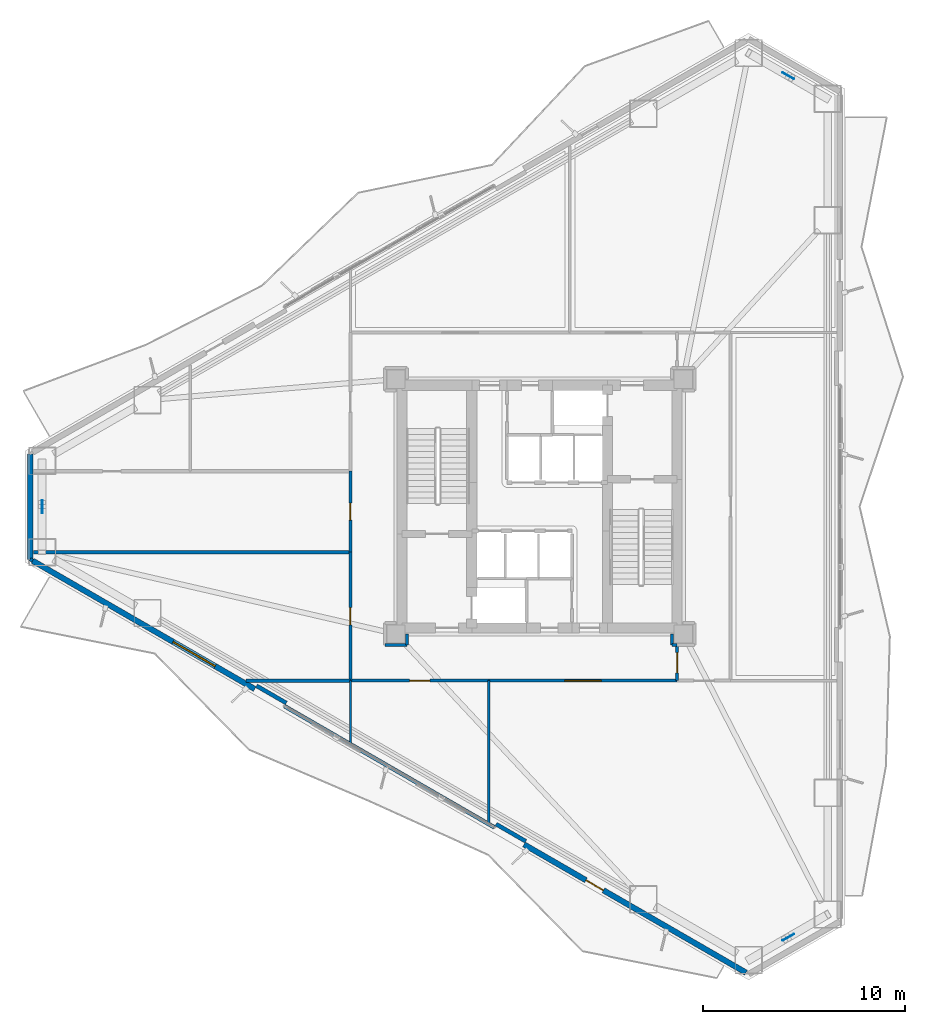
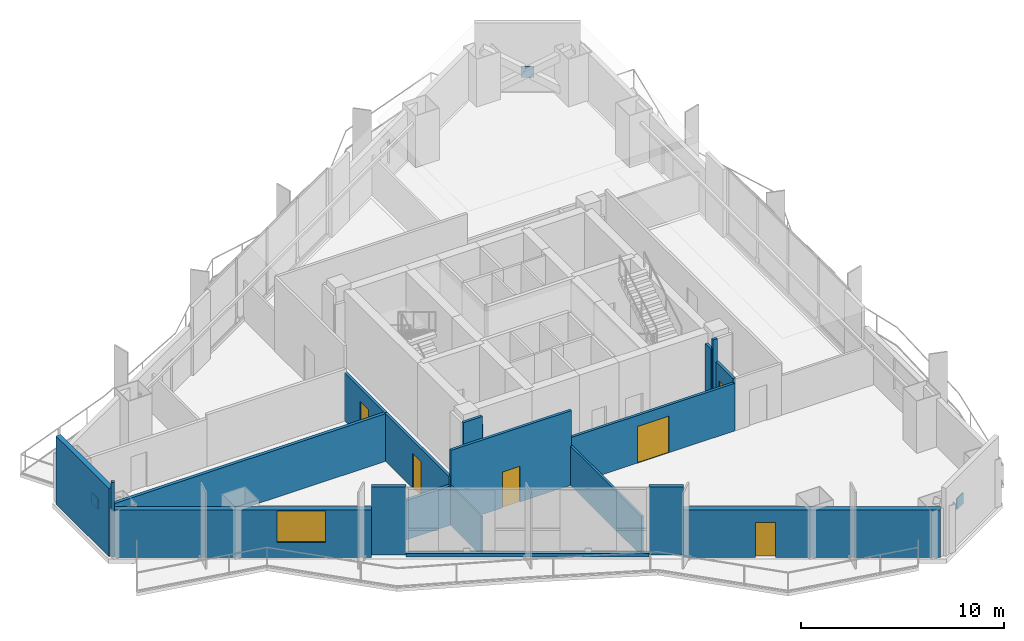
# One storey, part 11 of 16: 20 walls, 6 doors, 3 plates, 1 window, 7 openings.
"""IFC4 building model written with IfcOpenShell, lengths in metres."""

import ifcopenshell
import ifcopenshell.guid

model = None  # the IFC model being written
_history = None  # IfcOwnerHistory: only IFC2X3 demands one
_inside = {}  # id of a spatial element -> (the spatial element, [elements in it])
_under = {}  # id of a project, library or spatial element -> (it, [spatial elements below it])
_declared = {}  # id of a project -> (the project, [libraries it declares])
_typed = {}  # id of a type object -> (the type object, [elements of that type])
_made_of = {}  # id of a material, layer set ... -> (it, [elements and type objects made of it])


def new_model(schema):
    """Start an empty IFC model of exactly this schema.

    Asked for "IFC4X3", IfcOpenShell would pick the latest addendum, in which some entities
    have other attributes; the version numbers below select the first issue.
    IFC2X3 requires an IfcOwnerHistory on every rooted entity: one is made here for all.
    """
    global model, _history
    if schema == "IFC4X3":
        model = ifcopenshell.file(schema_version=(4, 3, 0, 0))
    else:
        model = ifcopenshell.file(schema=schema)
    _inside.clear()
    _under.clear()
    _declared.clear()
    _typed.clear()
    _made_of.clear()
    _history = None
    if model.schema == "IFC2X3":
        org = make("IfcOrganization", Name="unknown")
        user = make(
            "IfcPersonAndOrganization",
            ThePerson=make("IfcPerson", FamilyName="unknown"),
            TheOrganization=org,
        )
        app = make(
            "IfcApplication",
            ApplicationDeveloper=org,
            Version="unknown",
            ApplicationFullName="unknown",
            ApplicationIdentifier="unknown",
        )
        _history = make(
            "IfcOwnerHistory",
            OwningUser=user,
            OwningApplication=app,
            ChangeAction="ADDED",
            CreationDate=0,
        )
    return model


def make(cls, **values):
    """One entity of the class cls with the attributes given. An attribute that is None is left unset."""
    return model.create_entity(
        cls, **{name: value for name, value in values.items() if value is not None}
    )


def rooted(cls, **values):
    """An entity with a GlobalId (a new one), such as an element, a storey or a relation."""
    return make(cls, GlobalId=ifcopenshell.guid.new(), OwnerHistory=_history, **values)


def si_unit(unit_type, name, prefix=None):
    """IfcSIUnit, for example si_unit("LENGTHUNIT", "METRE", prefix="MILLI")."""
    return make("IfcSIUnit", UnitType=unit_type, Prefix=prefix, Name=name)


def assignment(units):
    """IfcUnitAssignment: the units of a project."""
    return None if units is None else make("IfcUnitAssignment", Units=units)


def point(xyz):
    """IfcCartesianPoint."""
    return None if xyz is None else make("IfcCartesianPoint", Coordinates=xyz)


def direction(xyz):
    """IfcDirection."""
    return None if xyz is None else make("IfcDirection", DirectionRatios=xyz)


def frame(location, z_axis=None, x_axis=None):
    """IfcAxis2Placement3D, a coordinate frame: its origin and axes. An axis left out is left unset."""
    return make(
        "IfcAxis2Placement3D",
        Location=point(location),
        Axis=direction(z_axis),
        RefDirection=direction(x_axis),
    )


def frame_2d(location, x_axis=None):
    """IfcAxis2Placement2D, a coordinate frame in the plane: its origin and x axis."""
    return make(
        "IfcAxis2Placement2D", Location=point(location), RefDirection=direction(x_axis)
    )


def origin():
    """The frame at (0, 0, 0) with its axes left unset."""
    return frame((0.0, 0.0, 0.0))


def origin_2d():
    """The frame at (0, 0) in the plane with its x axis left unset."""
    return frame_2d((0.0, 0.0))


def place(relative_to, where):
    """IfcLocalPlacement: puts the frame where relative to a parent placement (None: the world)."""
    return make(
        "IfcLocalPlacement", PlacementRelTo=relative_to, RelativePlacement=where
    )


def context(
    kind, dimensions, precision=None, world=None, true_north=None, identifier=None
):
    """IfcGeometricRepresentationContext, for example the 3D "Model" context."""
    return make(
        "IfcGeometricRepresentationContext",
        ContextIdentifier=identifier,
        ContextType=kind,
        CoordinateSpaceDimension=dimensions,
        Precision=precision,
        WorldCoordinateSystem=world,
        TrueNorth=true_north,
    )


def subcontext(parent, identifier, kind, view, scale=None):
    """IfcGeometricRepresentationSubContext, for example "Body" below "Model"."""
    return make(
        "IfcGeometricRepresentationSubContext",
        ContextIdentifier=identifier,
        ContextType=kind,
        ParentContext=parent,
        TargetScale=scale,
        TargetView=view,
    )


def project(units=None, contexts=None):
    """IfcProject with its units and contexts."""
    return rooted(
        "IfcProject",
        Name="project",
        RepresentationContexts=contexts,
        UnitsInContext=assignment(units),
    )


def spatial(cls, under=None, at=None, **own):
    """A site, building, storey or space (cls), placed at a placement, below another one or the project."""
    s = rooted(cls, ObjectPlacement=at, **own)
    if under is not None:
        _under.setdefault(under.id(), (under, []))[1].append(s)
    return s


def profile(cls, at=None, kind="AREA", **sizes):
    """A parametric profile (cls). Its sizes go by their IFC names, for example OverallWidth=200.0."""
    return make(cls, ProfileType=kind, Position=at, **sizes)


def rectangle(**sizes):
    """IfcRectangleProfileDef."""
    return profile("IfcRectangleProfileDef", **sizes)


def extrude(swept, where, along, depth):
    """IfcExtrudedAreaSolid: the profile swept, set in the frame where, extruded along a direction by depth."""
    return make(
        "IfcExtrudedAreaSolid",
        SweptArea=swept,
        Position=where,
        ExtrudedDirection=direction(along),
        Depth=depth,
    )


def shape(context_of_items, identifier, shape_type, items):
    """IfcShapeRepresentation: the items that make up one representation, for example the "Body"."""
    return make(
        "IfcShapeRepresentation",
        ContextOfItems=context_of_items,
        RepresentationIdentifier=identifier,
        RepresentationType=shape_type,
        Items=items,
    )


def material(Name=None, Category=None):
    """IfcMaterial."""
    return make("IfcMaterial", Name=Name, Category=Category)


def layer(
    of_material, thickness, ventilated=None, Name=None, Category=None, Priority=None
):
    """IfcMaterialLayer: one layer of a wall or slab, of a material (None: an air gap)."""
    return make(
        "IfcMaterialLayer",
        Material=of_material,
        LayerThickness=thickness,
        IsVentilated=ventilated,
        Name=Name,
        Category=Category,
        Priority=Priority,
    )


def layer_set(layers, Name=None):
    """IfcMaterialLayerSet."""
    return make("IfcMaterialLayerSet", MaterialLayers=layers, LayerSetName=Name)


def made_of(thing, what):
    """Note that an element or type object is made of a material, layer set ...; save() writes the relation."""
    if what is not None:
        _made_of.setdefault(what.id(), (what, []))[1].append(thing)
    return thing


def type_object(cls, material=None, **own):
    """A type object (cls), such as IfcWallType, which elements share."""
    return made_of(rooted(cls, **own), material)


def element(
    cls,
    number,
    at=None,
    inside=None,
    cuts=None,
    type_object=None,
    material=None,
    context=None,
    identifier="Body",
    shape_type=None,
    held_by="IfcProductDefinitionShape",
    body=None,
    shapes=None,
    **own,
):
    """One element of the class cls, such as IfcWall. Its Tag is "e" and its number.

    at: its placement. inside: the storey or other place that contains it. cuts: it is an
    opening in that element (IfcRelVoidsElement). A single representation is given by context,
    identifier, shape_type and body (its items); several are given by shapes. held_by: the class
    of the entity that holds the representations. save() writes the other relations.
    """
    e = rooted(cls, Tag="e%d" % number, ObjectPlacement=at, **own)
    if body is not None:
        shapes = [shape(context, identifier, shape_type, body)]
    if shapes is not None:
        e.Representation = make(held_by, Representations=shapes)
    if inside is not None:
        _inside.setdefault(inside.id(), (inside, []))[1].append(e)
    if cuts is not None:
        rooted(
            "IfcRelVoidsElement", RelatingBuildingElement=cuts, RelatedOpeningElement=e
        )
    if type_object is not None:
        _typed.setdefault(type_object.id(), (type_object, []))[1].append(e)
    return made_of(e, material)


def fill(opening, filler):
    """IfcRelFillsElement: the door or window that sits in an opening."""
    return rooted(
        "IfcRelFillsElement",
        RelatingOpeningElement=opening,
        RelatedBuildingElement=filler,
    )


def aggregate(whole, parts):
    """IfcRelAggregates: a whole, such as a stair, and the parts it consists of."""
    return rooted("IfcRelAggregates", RelatingObject=whole, RelatedObjects=parts)


def save(model, path):
    """Write the relations noted so far, then the file.

    IfcRelAggregates (storeys below a building ...), IfcRelContainedInSpatialStructure (elements
    in a storey), IfcRelDefinesByType, IfcRelAssociatesMaterial and IfcRelDeclares: one each for
    every whole, place, type object, material and project.
    """
    for whole, parts in _under.values():
        aggregate(whole, parts)
    for where, things in _inside.values():
        rooted(
            "IfcRelContainedInSpatialStructure",
            RelatedElements=things,
            RelatingStructure=where,
        )
    for kind, things in _typed.values():
        rooted("IfcRelDefinesByType", RelatedObjects=things, RelatingType=kind)
    for what, things in _made_of.values():
        rooted("IfcRelAssociatesMaterial", RelatedObjects=things, RelatingMaterial=what)
    for by, libraries in _declared.values():
        rooted("IfcRelDeclares", RelatingContext=by, RelatedDefinitions=libraries)
    model.write(path)


model = new_model("IFC4")

# Units and contexts
model_context = context("Model", 3, precision=1e-05, world=origin(), true_north=direction((0.0, 1.0)))
body_context = subcontext(model_context, "Body", "Model", "MODEL_VIEW")
ifc_project = project(units=[si_unit("LENGTHUNIT", "METRE"), si_unit("AREAUNIT", "SQUARE_METRE"), si_unit("VOLUMEUNIT", "CUBIC_METRE"), si_unit("PLANEANGLEUNIT", "RADIAN"), si_unit("MASSUNIT", "GRAM", prefix="KILO")], contexts=[model_context])

# Site, building, storey
site_placement = place(None, origin())
site = spatial("IfcSite", under=ifc_project, at=site_placement, CompositionType="ELEMENT")
building_placement = place(site_placement, origin())
building = spatial("IfcBuilding", under=site, at=building_placement, Name="Mersakhor Tower and Convention Hall", CompositionType="ELEMENT")
storey_placement = place(building_placement, frame((0.0, 0.0, 62.10009765625)))
storey = spatial("IfcBuildingStorey", under=building, at=storey_placement, Name="L17", CompositionType="ELEMENT", Elevation=62.10009765625)

# Plates
ifc_material_1 = material(Name="Steel S460", Category="steel")
ifc_layer_1 = layer(ifc_material_1, 0.0400390625)
ifc_layer_set_1 = layer_set([ifc_layer_1], Name="Steel S460")
plate_type = type_object("IfcPlateType", Name="PL-GUSSET-40", PredefinedType="SHEET", material=ifc_layer_set_1)
for number, where, z_axis, x_axis, name in (
    (1, (41.29345703125, 48.04296875, 1.18505859375), (0.0, 0.0, 1.0), (-0.866025403784, 0.5, 0.0), "L17 X-Brace Crossing Gusset Node Plate"),
    (2, (41.29345703125, 5.45703125, 1.18505859375), (0.0, 0.0, 1.0), (0.866025403784, 0.5, 0.0), "L17 X-Brace Crossing Gusset Node Plate"),
    (3, (4.4130859375, 26.75, 1.18505859375), (0.0, 0.0, 1.0), (0.0, -1.0, 0.0), "L17 X-Brace Crossing Gusset Node Plate"),
):
    element("IfcPlate", number, at=place(storey_placement, frame(where, z_axis=z_axis, x_axis=x_axis)), inside=storey, type_object=plate_type, Name=name, PredefinedType="SHEET", context=body_context, shape_type="SweptSolid", body=[
        extrude(rectangle(XDim=0.639892578125, YDim=0.0400390625, at=origin_2d()), origin(), (0.0, 0.0, 1.0), 0.639892578125),
    ])

# Wall
ifc_material_2 = material(Name="Precast concrete C45/55", Category="concrete")
ifc_layer_2 = layer(ifc_material_2, 0.27490234375)
ifc_layer_set_2 = layer_set([ifc_layer_2], Name="Precast concrete C45/55")
wall_type_1 = type_object("IfcWallType", Name="WL-EXT-275", PredefinedType="SOLIDWALL", material=ifc_layer_set_2)
wall_1_placement = place(storey_placement, frame((3.81298828125, 24.144287109375, 0.0), z_axis=(0.0, 0.0, 1.0), x_axis=(0.0, 1.0, 0.0)))
element("IfcWall", 4, at=wall_1_placement, inside=storey, type_object=wall_type_1, Name="L17 Chamfer Braced Spandrel Wall C3", PredefinedType="SOLIDWALL", context=body_context, shape_type="SweptSolid", body=[
    extrude(rectangle(XDim=5.21142578125, YDim=0.27490234375, at=frame_2d((2.605712890625, 0.0))), origin(), (0.0, 0.0, 1.0), 4.099853515625),
])

# Wall, opening, door
wall_2_placement = place(storey_placement, frame((39.20703125, 3.709716796875, 0.0), z_axis=(0.0, 0.0, 1.0), x_axis=(-0.86603192154, 0.499988710747, 0.0)))
wall_2 = element("IfcWall", 5, at=wall_2_placement, inside=storey, type_object=wall_type_1, Name="L17 Exterior Facade Wall F3-B1", PredefinedType="SOLIDWALL", context=body_context, shape_type="SweptSolid", body=[
    extrude(rectangle(XDim=12.673095703125, YDim=0.27490234375, at=frame_2d((6.33642578125, 0.0))), origin(), (0.0, 0.0, 1.0), 2.864990234375),
])
opening_1_placement = place(wall_2_placement, frame((8.135986328125, 0.0, 0.0)))
opening_1 = element("IfcOpeningElement", 6, at=opening_1_placement, cuts=wall_2, Name="Opening BD-01", PredefinedType="OPENING", context=body_context, shape_type="SweptSolid", body=[
    extrude(rectangle(XDim=1.0, YDim=2.10009765625, at=frame_2d((0.5, 1.050048828125))), frame((0.0, 0.1474609375, 0.0), z_axis=(0.0, -1.0, 0.0), x_axis=(1.0, 0.0, 0.0)), (0.0, 0.0, 1.0), 0.294921875),
])
ifc_material_3 = material(Name="Thermally broken dark aluminium and safety glass", Category="aluminium")
door_type_1 = type_object("IfcDoorType", Name="DR-BAL-100x210", OperationType="NOTDEFINED", PredefinedType="DOOR", material=ifc_material_3)
door_1_placement = place(opening_1_placement, origin())
door_1 = element("IfcDoor", 7, at=door_1_placement, inside=storey, type_object=door_type_1, Name="L17 Balcony Terrace Door F3-B1", OperationType="SINGLE_SWING_LEFT", OverallHeight=2.10009765625, OverallWidth=1.0, PredefinedType="DOOR", context=body_context, shape_type="SweptSolid", body=[
    extrude(rectangle(XDim=1.0, YDim=2.10009765625, at=frame_2d((0.5, 1.050048828125))), frame((0.0, 0.02490234375, 0.0), z_axis=(0.0, -1.0, 0.0), x_axis=(1.0, 0.0, 0.0)), (0.0, 0.0, 1.0), 0.050048828125),
])
fill(opening_1, door_1)

# Wall, opening, window
wall_3_placement = place(storey_placement, frame((14.918212890625, 17.73291015625, 0.0), z_axis=(0.0, 0.0, 1.0), x_axis=(-0.866027105532, 0.499997052475, 0.0)))
wall_3 = element("IfcWall", 8, at=wall_3_placement, inside=storey, type_object=wall_type_1, Name="L17 Exterior Facade Wall F3-B3", PredefinedType="SOLIDWALL", context=body_context, shape_type="SweptSolid", body=[
    extrude(rectangle(XDim=12.6728515625, YDim=0.27490234375, at=frame_2d((6.33642578125, 0.0))), origin(), (0.0, 0.0, 1.0), 2.864990234375),
])
opening_2_placement = place(wall_3_placement, frame((2.260009765625, 0.0, 0.89990234375)))
opening_2 = element("IfcOpeningElement", 9, at=opening_2_placement, cuts=wall_3, Name="Opening W-09", PredefinedType="OPENING", context=body_context, shape_type="SweptSolid", body=[
    extrude(rectangle(XDim=2.39990234375, YDim=1.889892578125, at=frame_2d((1.199951171875, 0.94482421875))), frame((0.0, 0.1474609375, 0.0), z_axis=(0.0, -1.0, 0.0), x_axis=(1.0, 0.0, 0.0)), (0.0, 0.0, 1.0), 0.294921875),
])
ifc_material_4 = material(Name="Dark solar low-E glazed aluminium window", Category="aluminium")
window_type = type_object("IfcWindowType", Name="WN-COM-240x220", PartitioningType="SINGLE_PANEL", PredefinedType="WINDOW", material=ifc_material_4)
window_placement = place(opening_2_placement, origin())
window = element("IfcWindow", 10, at=window_placement, inside=storey, type_object=window_type, Name="L17 Facade Punched Window F3-B3", OverallHeight=1.889892578125, OverallWidth=2.39990234375, PartitioningType="SINGLE_PANEL", PredefinedType="WINDOW", context=body_context, shape_type="SweptSolid", body=[
    extrude(rectangle(XDim=2.39990234375, YDim=1.889892578125, at=frame_2d((1.199951171875, 0.94482421875))), frame((0.0, 0.030029296875, 0.0), z_axis=(0.0, -1.0, 0.0), x_axis=(1.0, 0.0, 0.0)), (0.0, 0.0, 1.0), 0.06005859375),
])
fill(opening_2, window)

# Walls
ifc_material_5 = material(Name="Precast concrete C40/50", Category="concrete")
ifc_layer_3 = layer(ifc_material_5, 0.199951171875)
ifc_layer_set_3 = layer_set([ifc_layer_3], Name="Precast concrete C40/50")
wall_type_2 = type_object("IfcWallType", Name="WL-PAR-200", PredefinedType="PARAPET", material=ifc_layer_set_3)
wall_4_placement = place(storey_placement, frame((26.759521484375, 10.896240234375, 0.0), z_axis=(0.0, 0.0, 1.0), x_axis=(-0.866027351828, 0.499996625875, 0.0)))
element("IfcWall", 11, at=wall_4_placement, inside=storey, type_object=wall_type_2, Name="L17 Curtain Wall Upstand Sill F3-B2", PredefinedType="PARAPET", context=body_context, shape_type="SweptSolid", body=[
    extrude(rectangle(XDim=11.97314453125, YDim=0.199951171875, at=frame_2d((5.986572265625, 0.0))), origin(), (0.0, 0.0, 1.0), 0.199951171875),
])
for number, where, z_axis, x_axis, name in (
    (12, (28.32177734375, 10.2021484375, 0.0), (0.0, 0.0, 1.0), (-0.86605165483, 0.499954529098, 0.0), "L17 Column Pier Cladding Wall F3-C1"),
    (13, (16.48046875, 17.038818359375, 0.0), (0.0, 0.0, 1.0), (-0.86605165483, 0.499954529098, 0.0), "L17 Column Pier Cladding Wall F3-C2"),
):
    element("IfcWall", number, at=place(storey_placement, frame(where, z_axis=z_axis, x_axis=x_axis)), inside=storey, type_object=wall_type_2, Name=name, PredefinedType="PARAPET", context=body_context, shape_type="SweptSolid", body=[
        extrude(rectangle(XDim=1.699951171875, YDim=0.199951171875, at=frame_2d((0.85009765625, 0.0))), origin(), (0.0, 0.0, 1.0), 4.099853515625),
    ])
ifc_material_6 = material(Name="Moisture-resistant acoustic drywall studwork", Category="other")
ifc_layer_4 = layer(ifc_material_6, 0.175048828125)
ifc_layer_set_4 = layer_set([ifc_layer_4], Name="Moisture-resistant acoustic drywall studwork")
wall_type_3 = type_object("IfcWallType", Name="WL-PLM-175", PredefinedType="PLUMBINGWALL", material=ifc_layer_set_4)
wall_5_placement = place(storey_placement, frame((3.974609375, 24.5, 0.0), z_axis=(0.0, 0.0, 1.0), x_axis=(1.0, 0.0, 0.0)))
element("IfcWall", 14, at=wall_5_placement, inside=storey, type_object=wall_type_3, Name="L17 Interior Partition Wall P-051", PredefinedType="PLUMBINGWALL", context=body_context, shape_type="SweptSolid", body=[
    extrude(rectangle(XDim=15.67529296875, YDim=0.175048828125, at=frame_2d((7.837646484375, 0.0))), origin(), (0.0, 0.0, 1.0), 2.864990234375),
])
wall_6_placement = place(storey_placement, frame((19.64990234375, 18.14990234375, 0.0), z_axis=(0.0, 0.0, 1.0), x_axis=(-1.0, 0.0, 0.0)))
element("IfcWall", 15, at=wall_6_placement, inside=storey, type_object=wall_type_3, Name="L17 Interior Partition Wall P-052", PredefinedType="PLUMBINGWALL", context=body_context, shape_type="SweptSolid", body=[
    extrude(rectangle(XDim=5.16064453125, YDim=0.175048828125, at=frame_2d((2.580322265625, 0.0))), origin(), (0.0, 0.0, 1.0), 2.364990234375),
])
wall_7_placement = place(storey_placement, frame((3.94287109375, 24.069091796875, 0.0), z_axis=(0.0, 0.0, 1.0), x_axis=(-0.866131372301, 0.499816412211, 0.0)))
element("IfcWall", 16, at=wall_7_placement, inside=storey, type_object=wall_type_3, Name="L17 Interior Partition Wall P-053", PredefinedType="PLUMBINGWALL", context=body_context, shape_type="SweptSolid", body=[
    extrude(rectangle(XDim=0.14990234375, YDim=0.175048828125, at=frame_2d((0.074951171875, 0.0))), origin(), (0.0, 0.0, 1.0), 4.47998046875),
])
ifc_material_7 = material(Name="Lightweight gypsum partition", Category="other")
ifc_layer_5 = layer(ifc_material_7, 0.10009765625)
ifc_layer_set_5 = layer_set([ifc_layer_5], Name="Lightweight gypsum partition")
wall_type_4 = type_object("IfcWallType", Name="WL-PRT-100", PredefinedType="PARTITIONING", material=ifc_layer_set_5)
wall_8_placement = place(storey_placement, frame((19.64990234375, 15.04931640625, 0.0), z_axis=(0.0, 0.0, 1.0), x_axis=(0.0, 1.0, 0.0)))
element("IfcWall", 17, at=wall_8_placement, inside=storey, type_object=wall_type_4, Name="L17 Interior Partition Wall P-050", PredefinedType="PARTITIONING", context=body_context, shape_type="SweptSolid", body=[
    extrude(rectangle(XDim=3.1005859375, YDim=0.10009765625, at=frame_2d((1.55029296875, 0.0))), origin(), (0.0, 0.0, 1.0), 2.364990234375),
])
ifc_material_8 = material(Name="Gypsum board acoustic partition", Category="other")
ifc_layer_6 = layer(ifc_material_8, 0.125)
ifc_layer_set_6 = layer_set([ifc_layer_6], Name="Gypsum board acoustic partition")
wall_type_5 = type_object("IfcWallType", Name="WL-PRT-125", PredefinedType="PARTITIONING", material=ifc_layer_set_6)
wall_9_placement = place(storey_placement, frame((26.5, 18.14990234375, 0.0), z_axis=(0.0, 0.0, 1.0), x_axis=(0.0, -1.0, 0.0)))
element("IfcWall", 18, at=wall_9_placement, inside=storey, type_object=wall_type_5, Name="L17 Interior Partition Wall P-049", PredefinedType="PARTITIONING", context=body_context, shape_type="SweptSolid", body=[
    extrude(rectangle(XDim=7.055419921875, YDim=0.125, at=frame_2d((3.52783203125, 0.0))), origin(), (0.0, 0.0, 1.0), 2.364990234375),
])
ifc_material_9 = material(Name="Fire-rated gypsum board stud partition", Category="other")
ifc_layer_7 = layer(ifc_material_9, 0.14990234375)
ifc_layer_set_7 = layer_set([ifc_layer_7], Name="Fire-rated gypsum board stud partition")
wall_type_6 = type_object("IfcWallType", Name="WL-PRT-150", PredefinedType="PARTITIONING", material=ifc_layer_set_7)
wall_10_placement = place(storey_placement, frame((21.35009765625, 19.89990234375, 0.0), z_axis=(0.0, 0.0, 1.0), x_axis=(1.0, 0.0, 0.0)))
element("IfcWall", 19, at=wall_10_placement, inside=storey, type_object=wall_type_6, Name="L17 Interior Partition Wall P-019", PredefinedType="PARTITIONING", context=body_context, shape_type="SweptSolid", body=[
    extrude(rectangle(XDim=1.099853515625, YDim=0.14990234375, at=frame_2d((0.5498046875, 0.0))), origin(), (0.0, 0.0, 1.0), 4.47998046875),
])
for number, where, z_axis, x_axis, name in (
    (20, (22.449951171875, 19.89990234375, 0.0), (0.0, 0.0, 1.0), (0.0, 1.0, 0.0), "L17 Interior Partition Wall P-020"),
    (21, (35.550048828125, 20.449951171875, 0.0), (0.0, 0.0, 1.0), (0.0, -1.0, 0.0), "L17 Interior Partition Wall P-021"),
):
    element("IfcWall", number, at=place(storey_placement, frame(where, z_axis=z_axis, x_axis=x_axis)), inside=storey, type_object=wall_type_6, Name=name, PredefinedType="PARTITIONING", context=body_context, shape_type="SweptSolid", body=[
        extrude(rectangle(XDim=0.550048828125, YDim=0.14990234375, at=frame_2d((0.27490234375, 0.0))), origin(), (0.0, 0.0, 1.0), 3.92822265625),
    ])
wall_11_placement = place(storey_placement, frame((35.550048828125, 19.89990234375, 0.0), z_axis=(0.0, 0.0, 1.0), x_axis=(1.0, 0.0, 0.0)))
element("IfcWall", 22, at=wall_11_placement, inside=storey, type_object=wall_type_6, Name="L17 Interior Partition Wall P-022", PredefinedType="PARTITIONING", context=body_context, shape_type="SweptSolid", body=[
    extrude(rectangle(XDim=0.25, YDim=0.14990234375, at=frame_2d((0.125, 0.0))), origin(), (0.0, 0.0, 1.0), 4.47998046875),
])

# Wall, opening, door
wall_12_placement = place(storey_placement, frame((35.800048828125, 19.89990234375, 0.0), z_axis=(0.0, 0.0, 1.0), x_axis=(0.0, -1.0, 0.0)))
wall_12 = element("IfcWall", 23, at=wall_12_placement, inside=storey, type_object=wall_type_6, Name="L17 Interior Partition Wall P-023", PredefinedType="PARTITIONING", context=body_context, shape_type="SweptSolid", body=[
    extrude(rectangle(XDim=1.75, YDim=0.14990234375, at=frame_2d((0.875, 0.0))), origin(), (0.0, 0.0, 1.0), 3.114990234375),
])
opening_3_placement = place(wall_12_placement, frame((0.375, 0.0, 0.0)))
opening_3 = element("IfcOpeningElement", 24, at=opening_3_placement, cuts=wall_12, Name="Opening FD-01", PredefinedType="OPENING", context=body_context, shape_type="SweptSolid", body=[
    extrude(rectangle(XDim=1.0, YDim=2.14990234375, at=frame_2d((0.5, 1.074951171875))), frame((0.0, 0.0849609375, 0.0), z_axis=(0.0, -1.0, 0.0), x_axis=(1.0, 0.0, 0.0)), (0.0, 0.0, 1.0), 0.169921875),
])
ifc_material_10 = material(Name="Fire-rated hardwood leaf and painted steel frame", Category="steel")
door_type_2 = type_object("IfcDoorType", Name="DR-INT-FLT-100x215", OperationType="NOTDEFINED", PredefinedType="DOOR", material=ifc_material_10)
door_2_placement = place(opening_3_placement, origin())
door_2 = element("IfcDoor", 25, at=door_2_placement, inside=storey, type_object=door_type_2, Name="L17 Ring Corridor Fire Door", OperationType="SINGLE_SWING_RIGHT", OverallHeight=2.14990234375, OverallWidth=1.0, PredefinedType="DOOR", context=body_context, shape_type="SweptSolid", body=[
    extrude(rectangle(XDim=1.0, YDim=2.14990234375, at=frame_2d((0.5, 1.074951171875))), frame((0.0, 0.02490234375, 0.0), z_axis=(0.0, -1.0, 0.0), x_axis=(1.0, 0.0, 0.0)), (0.0, 0.0, 1.0), 0.050048828125),
])
fill(opening_3, door_2)

wall_13_placement = place(storey_placement, frame((35.800048828125, 18.14990234375, 0.0), z_axis=(0.0, 0.0, 1.0), x_axis=(-1.0, 0.0, 0.0)))
wall_13 = element("IfcWall", 26, at=wall_13_placement, inside=storey, type_object=wall_type_6, Name="L17 Interior Partition Wall P-024", PredefinedType="PARTITIONING", context=body_context, shape_type="SweptSolid", body=[
    extrude(rectangle(XDim=9.300048828125, YDim=0.14990234375, at=frame_2d((4.64990234375, 0.0))), origin(), (0.0, 0.0, 1.0), 2.864990234375),
])
opening_4_placement = place(wall_13_placement, frame((3.75, 0.0, 0.0)))
opening_4 = element("IfcOpeningElement", 27, at=opening_4_placement, cuts=wall_13, Name="Opening HD-01", PredefinedType="OPENING", context=body_context, shape_type="SweptSolid", body=[
    extrude(rectangle(XDim=1.800048828125, YDim=2.199951171875, at=frame_2d((0.89990234375, 1.10009765625))), frame((0.0, 0.0849609375, 0.0), z_axis=(0.0, -1.0, 0.0), x_axis=(1.0, 0.0, 0.0)), (0.0, 0.0, 1.0), 0.169921875),
])
ifc_material_11 = material(Name="Fire-rated hardwood leaf and painted steel frame", Category="steel")
door_type_3 = type_object("IfcDoorType", Name="DR-INT-HALL-180x220", OperationType="NOTDEFINED", PredefinedType="DOOR", material=ifc_material_11)
door_3_placement = place(opening_4_placement, origin())
door_3 = element("IfcDoor", 28, at=door_3_placement, inside=storey, type_object=door_type_3, Name="L17 L17 Sky-Lobby Corridor to Community Tea Dining Hall Door", OperationType="DOUBLE_DOOR_SINGLE_SWING", OverallHeight=2.199951171875, OverallWidth=1.800048828125, PredefinedType="DOOR", context=body_context, shape_type="SweptSolid", body=[
    extrude(rectangle(XDim=1.800048828125, YDim=2.199951171875, at=frame_2d((0.89990234375, 1.10009765625))), frame((0.0, 0.02490234375, 0.0), z_axis=(0.0, -1.0, 0.0), x_axis=(1.0, 0.0, 0.0)), (0.0, 0.0, 1.0), 0.050048828125),
])
fill(opening_4, door_3)

wall_14_placement = place(storey_placement, frame((26.5, 18.14990234375, 0.0), z_axis=(0.0, 0.0, 1.0), x_axis=(-1.0, 0.0, 0.0)))
wall_14 = element("IfcWall", 29, at=wall_14_placement, inside=storey, type_object=wall_type_6, Name="L17 Interior Partition Wall P-025", PredefinedType="PARTITIONING", context=body_context, shape_type="SweptSolid", body=[
    extrude(rectangle(XDim=6.85009765625, YDim=0.14990234375, at=frame_2d((3.425048828125, 0.0))), origin(), (0.0, 0.0, 1.0), 4.47998046875),
])
opening_5_placement = place(wall_14_placement, frame((2.925048828125, 0.0, 0.0)))
opening_5 = element("IfcOpeningElement", 30, at=opening_5_placement, cuts=wall_14, Name="Opening FD-01", PredefinedType="OPENING", context=body_context, shape_type="SweptSolid", body=[
    extrude(rectangle(XDim=1.0, YDim=2.14990234375, at=frame_2d((0.5, 1.074951171875))), frame((0.0, 0.0849609375, 0.0), z_axis=(0.0, -1.0, 0.0), x_axis=(1.0, 0.0, 0.0)), (0.0, 0.0, 1.0), 0.169921875),
])
door_4_placement = place(opening_5_placement, origin())
door_4 = element("IfcDoor", 31, at=door_4_placement, inside=storey, type_object=door_type_2, Name="L17 L17 Sky-Lobby Corridor to Shared Pantry Servery Kitchen Door", OperationType="SINGLE_SWING_RIGHT", OverallHeight=2.14990234375, OverallWidth=1.0, PredefinedType="DOOR", context=body_context, shape_type="SweptSolid", body=[
    extrude(rectangle(XDim=1.0, YDim=2.14990234375, at=frame_2d((0.5, 1.074951171875))), frame((0.0, 0.02490234375, 0.0), z_axis=(0.0, -1.0, 0.0), x_axis=(1.0, 0.0, 0.0)), (0.0, 0.0, 1.0), 0.050048828125),
])
fill(opening_5, door_4)

wall_15_placement = place(storey_placement, frame((19.64990234375, 18.14990234375, 0.0), z_axis=(0.0, 0.0, 1.0), x_axis=(0.0, 1.0, 0.0)))
wall_15 = element("IfcWall", 32, at=wall_15_placement, inside=storey, type_object=wall_type_6, Name="L17 Interior Partition Wall P-026", PredefinedType="PARTITIONING", context=body_context, shape_type="SweptSolid", body=[
    extrude(rectangle(XDim=6.35009765625, YDim=0.14990234375, at=frame_2d((3.175048828125, 0.0))), origin(), (0.0, 0.0, 1.0), 2.864990234375),
])
opening_6_placement = place(wall_15_placement, frame((2.75, 0.0, 0.0)))
opening_6 = element("IfcOpeningElement", 33, at=opening_6_placement, cuts=wall_15, Name="Opening SVD-01", PredefinedType="OPENING", context=body_context, shape_type="SweptSolid", body=[
    extrude(rectangle(XDim=0.85009765625, YDim=2.10009765625, at=frame_2d((0.425048828125, 1.050048828125))), frame((0.0, 0.0849609375, 0.0), z_axis=(0.0, -1.0, 0.0), x_axis=(1.0, 0.0, 0.0)), (0.0, 0.0, 1.0), 0.169921875),
])
ifc_material_12 = material(Name="Fire-rated hardwood leaf and painted steel frame", Category="steel")
door_type_4 = type_object("IfcDoorType", Name="DR-INT-SVC-085x210", OperationType="NOTDEFINED", PredefinedType="DOOR", material=ifc_material_12)
door_5_placement = place(opening_6_placement, origin())
door_5 = element("IfcDoor", 34, at=door_5_placement, inside=storey, type_object=door_type_4, Name="L17 L17 Sky-Lobby Corridor to Level 17 Public Toilets Door", OperationType="SINGLE_SWING_LEFT", OverallHeight=2.10009765625, OverallWidth=0.85009765625, PredefinedType="DOOR", context=body_context, shape_type="SweptSolid", body=[
    extrude(rectangle(XDim=0.85009765625, YDim=2.10009765625, at=frame_2d((0.425048828125, 1.050048828125))), frame((0.0, 0.02490234375, 0.0), z_axis=(0.0, -1.0, 0.0), x_axis=(1.0, 0.0, 0.0)), (0.0, 0.0, 1.0), 0.050048828125),
])
fill(opening_6, door_5)

wall_16_placement = place(storey_placement, frame((19.64990234375, 24.5, 0.0), z_axis=(0.0, 0.0, 1.0), x_axis=(0.0, 1.0, 0.0)))
wall_16 = element("IfcWall", 35, at=wall_16_placement, inside=storey, type_object=wall_type_6, Name="L17 Interior Partition Wall P-027", PredefinedType="PARTITIONING", context=body_context, shape_type="SweptSolid", body=[
    extrude(rectangle(XDim=4.0, YDim=0.14990234375, at=frame_2d((2.0, 0.0))), origin(), (0.0, 0.0, 1.0), 2.864990234375),
])
opening_7_placement = place(wall_16_placement, frame((1.574951171875, 0.0, 0.0)))
opening_7 = element("IfcOpeningElement", 36, at=opening_7_placement, cuts=wall_16, Name="Opening SVD-01", PredefinedType="OPENING", context=body_context, shape_type="SweptSolid", body=[
    extrude(rectangle(XDim=0.85009765625, YDim=2.10009765625, at=frame_2d((0.425048828125, 1.050048828125))), frame((0.0, 0.0849609375, 0.0), z_axis=(0.0, -1.0, 0.0), x_axis=(1.0, 0.0, 0.0)), (0.0, 0.0, 1.0), 0.169921875),
])
door_6_placement = place(opening_7_placement, origin())
door_6 = element("IfcDoor", 37, at=door_6_placement, inside=storey, type_object=door_type_4, Name="L17 L17 Sky-Lobby Corridor to Level 17 Accessible Toilet WC Door", OperationType="SINGLE_SWING_RIGHT", OverallHeight=2.10009765625, OverallWidth=0.85009765625, PredefinedType="DOOR", context=body_context, shape_type="SweptSolid", body=[
    extrude(rectangle(XDim=0.85009765625, YDim=2.10009765625, at=frame_2d((0.425048828125, 1.050048828125))), frame((0.0, 0.02490234375, 0.0), z_axis=(0.0, -1.0, 0.0), x_axis=(1.0, 0.0, 0.0)), (0.0, 0.0, 1.0), 0.050048828125),
])
fill(opening_7, door_6)

save(model, "model.ifc")
